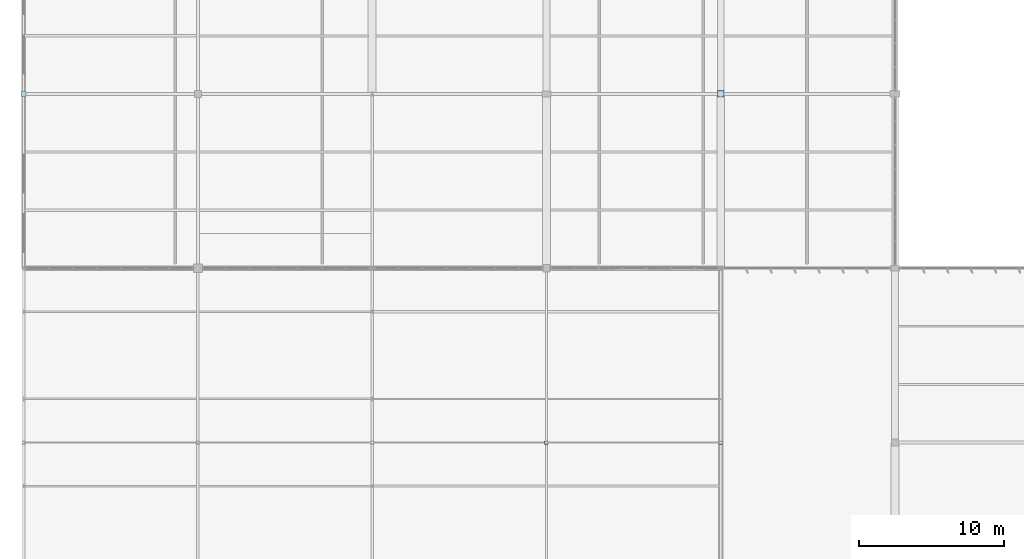
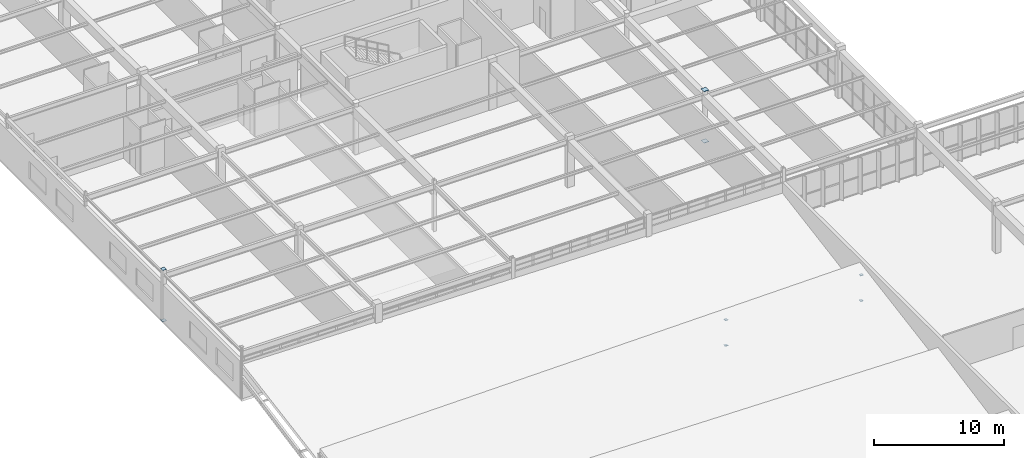
# One storey, part 160 of 226: 8 plates.
"""IFC4 building model written with IfcOpenShell, lengths in metres."""

from ifc_helpers import new_model, si_unit, direction, frame, origin, origin_2d, place, context, subcontext, project, spatial, rectangle, extrude, material, layer, layer_set, type_object, element, save


model = new_model("IFC4")

# Units and contexts
model_context = context("Model", 3, precision=1e-05, world=origin(), true_north=direction((0.0, 1.0)))
body_context = subcontext(model_context, "Body", "Model", "MODEL_VIEW")
ifc_project = project(units=[si_unit("LENGTHUNIT", "METRE"), si_unit("AREAUNIT", "SQUARE_METRE"), si_unit("VOLUMEUNIT", "CUBIC_METRE"), si_unit("PLANEANGLEUNIT", "RADIAN"), si_unit("MASSUNIT", "GRAM", prefix="KILO")], contexts=[model_context])

# Site, building, storey
site_placement = place(None, origin())
site = spatial("IfcSite", under=ifc_project, at=site_placement, CompositionType="ELEMENT")
building_placement = place(site_placement, origin())
building = spatial("IfcBuilding", under=site, at=building_placement, Name="Tarnwether General Hospital", CompositionType="ELEMENT")
storey_placement = place(building_placement, frame((0.0, 0.0, 4.800048828125)))
storey = spatial("IfcBuildingStorey", under=building, at=storey_placement, Name="L01", CompositionType="ELEMENT", Elevation=4.800048828125)

# Plates
ifc_material = material(Name="Steel Grade 350 (350 MPa)", Category="steel")
ifc_layer = layer(ifc_material, 0.02490234375)
ifc_layer_set = layer_set([ifc_layer], Name="Steel Grade 350 (350 MPa)")
plate_type = type_object("IfcPlateType", Name="PT-GUS2", PredefinedType="USERDEFINED", material=ifc_layer_set)
for number, where, z_axis, x_axis, name in (
    (1, (0.0, 57.60009765625, -0.02490234375), (0.0, 0.0, 1.0), (1.0, 0.0, 0.0), "Hollow Section Welded End Cap Plate 0009"),
    (2, (0.0, 57.60009765625, 4.800048828125), (0.0, 0.0, 1.0), (1.0, 0.0, 0.0), "Hollow Section Welded End Cap Plate 0010"),
):
    element("IfcPlate", number, at=place(storey_placement, frame(where, z_axis=z_axis, x_axis=x_axis)), inside=storey, type_object=plate_type, Name=name, ObjectType="GUSSET", PredefinedType="USERDEFINED", context=body_context, shape_type="SweptSolid", body=[
        extrude(rectangle(XDim=0.340087890625, YDim=0.340087890625, at=origin_2d()), origin(), (0.0, 0.0, 1.0), 0.02490234375),
    ])
for number, where, z_axis, x_axis, name in (
    (3, (48.0, 57.60009765625, -0.02490234375), (0.0, 0.0, 1.0), (1.0, 0.0, 0.0), "Hollow Section Welded End Cap Plate 0079"),
    (4, (48.0, 57.60009765625, 4.800048828125), (0.0, 0.0, 1.0), (1.0, 0.0, 0.0), "Hollow Section Welded End Cap Plate 0080"),
):
    element("IfcPlate", number, at=place(storey_placement, frame(where, z_axis=z_axis, x_axis=x_axis)), inside=storey, type_object=plate_type, Name=name, ObjectType="GUSSET", PredefinedType="USERDEFINED", context=body_context, shape_type="SweptSolid", body=[
        extrude(rectangle(XDim=0.446044921875, YDim=0.446044921875, at=origin_2d()), origin(), (0.0, 0.0, 1.0), 0.02490234375),
    ])
for number, where, z_axis, x_axis, name in (
    (5, (36.0, 33.60009765625, -0.405029296875), (0.0, 0.0, 1.0), (1.0, 0.0, 0.0), "Hollow Section Welded End Cap Plate 1427"),
    (6, (36.0, 33.60009765625, 2.0), (0.0, 0.0, 1.0), (1.0, 0.0, 0.0), "Hollow Section Welded End Cap Plate 1428"),
    (7, (48.0, 33.60009765625, -0.405029296875), (0.0, 0.0, 1.0), (1.0, 0.0, 0.0), "Hollow Section Welded End Cap Plate 1429"),
    (8, (48.0, 33.60009765625, 2.0), (0.0, 0.0, 1.0), (1.0, 0.0, 0.0), "Hollow Section Welded End Cap Plate 1430"),
):
    element("IfcPlate", number, at=place(storey_placement, frame(where, z_axis=z_axis, x_axis=x_axis)), inside=storey, type_object=plate_type, Name=name, ObjectType="GUSSET", PredefinedType="USERDEFINED", context=body_context, shape_type="SweptSolid", body=[
        extrude(rectangle(XDim=0.239990234375, YDim=0.239990234375, at=origin_2d()), origin(), (0.0, 0.0, 1.0), 0.02490234375),
    ])

save(model, "model.ifc")
